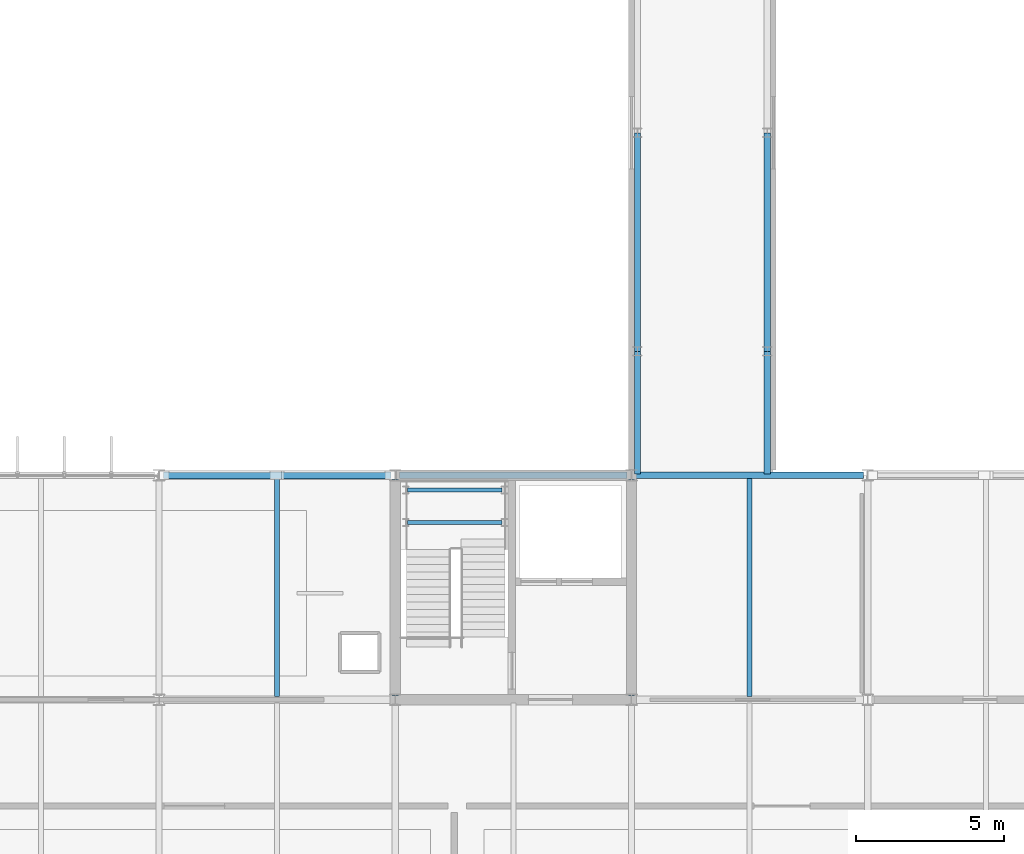
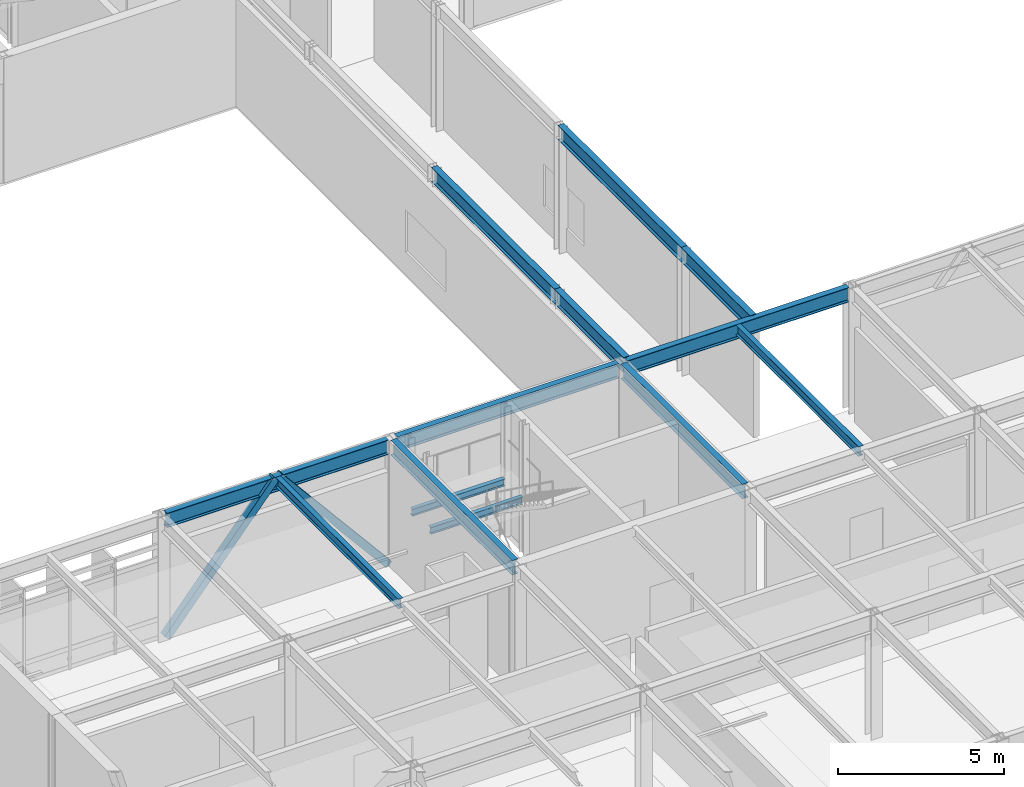
# One storey, part 26 of 104: 13 beams, 2 members.
"""IFC4 building model written with IfcOpenShell, lengths in metres."""

from ifc_helpers import new_model, si_unit, direction, frame, origin, origin_2d, place, context, subcontext, project, spatial, hollow_rectangle, i_section, extrude, material, material_profile, profile_set, type_object, element, save


model = new_model("IFC4")

# Units and contexts
model_context = context("Model", 3, precision=1e-05, world=origin(), true_north=direction((0.0, 1.0)))
body_context = subcontext(model_context, "Body", "Model", "MODEL_VIEW")
ifc_project = project(units=[si_unit("LENGTHUNIT", "METRE"), si_unit("AREAUNIT", "SQUARE_METRE"), si_unit("VOLUMEUNIT", "CUBIC_METRE"), si_unit("PLANEANGLEUNIT", "RADIAN"), si_unit("MASSUNIT", "GRAM", prefix="KILO")], contexts=[model_context])

# Site, building, storey
site_placement = place(None, origin())
site = spatial("IfcSite", under=ifc_project, at=site_placement, CompositionType="ELEMENT")
building_placement = place(site_placement, origin())
building = spatial("IfcBuilding", under=site, at=building_placement, Name="Zulena Civic Courthouse", CompositionType="ELEMENT")
storey_placement = place(building_placement, frame((0.0, 0.0, 15.60009765625)))
storey = spatial("IfcBuildingStorey", under=building, at=storey_placement, Name="L03", CompositionType="ELEMENT", Elevation=15.60009765625)

# Members
ifc_material_1 = material(Name="Steel ASTM A500 Grade C", Category="steel")
ifc_material_profile_1 = material_profile(ifc_material_1, hollow_rectangle(XDim=0.25390625, YDim=0.25390625, WallThickness=0.01171875, at=origin_2d()), Name="HSS10X10X1/2")
ifc_profile_set_1 = profile_set([ifc_material_profile_1], Name="Steel ASTM A500 Grade C")
member_type = type_object("IfcMemberType", Name="Brace_HSS10", PredefinedType="BRACE", material=ifc_profile_set_1)
for number, where, z_axis, x_axis, name in (
    (1, (12.14990234375, 22.800048828125, 0.010009765625), (0.641034700676, 0.0, 0.767511897321), (0.0, 1.0, 0.0), "brace:V2:L03:0:0"),
    (2, (19.85009765625, 22.800048828125, 0.010009765625), (-0.641034700676, 0.0, 0.767511897321), (0.0, -1.0, 0.0), "brace:V2:L03:0:1"),
):
    element("IfcMember", number, at=place(storey_placement, frame(where, z_axis=z_axis, x_axis=x_axis)), inside=storey, type_object=member_type, Name=name, PredefinedType="BRACE", context=body_context, shape_type="SweptSolid", body=[
        extrude(hollow_rectangle(XDim=0.25390625, YDim=0.25390625, WallThickness=0.01171875, at=origin_2d()), origin(), (0.0, 0.0, 1.0), 5.927978515625),
    ])

# Beams
ifc_material_2 = material(Name="Steel ASTM A992 Grade 50", Category="steel")
ifc_material_profile_2 = material_profile(ifc_material_2, i_section(OverallWidth=0.2099609375, OverallDepth=0.537109375, WebThickness=0.010986328125, FlangeThickness=0.017333984375, FilletRadius=0.0126953125, at=origin_2d()), Name="W21X68")
ifc_profile_set_2 = profile_set([ifc_material_profile_2], Name="Steel ASTM A992 Grade 50")
beam_type_1 = type_object("IfcBeamType", Name="BridgeGirder_W21X68", PredefinedType="BEAM", material=ifc_profile_set_2)
beam_1_placement = place(storey_placement, frame((28.199951171875, 22.85009765625, 4.361328125), z_axis=(0.0, 1.0, 0.0), x_axis=(-1.0, 0.0, 0.0)))
element("IfcBeam", 3, at=beam_1_placement, inside=storey, type_object=beam_type_1, Name="beam:bridgeroof:BR-52J:28.20:0", PredefinedType="BEAM", context=body_context, shape_type="SweptSolid", body=[
    extrude(i_section(OverallWidth=0.2099609375, OverallDepth=0.537109375, WebThickness=0.010986328125, FlangeThickness=0.017333984375, FilletRadius=0.0126953125, at=origin_2d()), origin(), (0.0, 0.0, 1.0), 4.14990234375),
])
beam_2_placement = place(storey_placement, frame((28.199951171875, 27.0, 4.361328125), z_axis=(0.0, 1.0, 0.0), x_axis=(-1.0, 0.0, 0.0)))
element("IfcBeam", 4, at=beam_2_placement, inside=storey, type_object=beam_type_1, Name="beam:bridgeroof:BR-52J:28.20:1", PredefinedType="BEAM", context=body_context, shape_type="SweptSolid", body=[
    extrude(i_section(OverallWidth=0.2099609375, OverallDepth=0.537109375, WebThickness=0.010986328125, FlangeThickness=0.017333984375, FilletRadius=0.0126953125, at=origin_2d()), origin(), (0.0, 0.0, 1.0), 7.39990234375),
])
beam_3_placement = place(storey_placement, frame((32.60009765625, 22.85009765625, 4.361328125), z_axis=(0.0, 1.0, 0.0), x_axis=(-1.0, 0.0, 0.0)))
element("IfcBeam", 5, at=beam_3_placement, inside=storey, type_object=beam_type_1, Name="beam:bridgeroof:BR-52J:32.60:0", PredefinedType="BEAM", context=body_context, shape_type="SweptSolid", body=[
    extrude(i_section(OverallWidth=0.2099609375, OverallDepth=0.537109375, WebThickness=0.010986328125, FlangeThickness=0.017333984375, FilletRadius=0.0126953125, at=origin_2d()), origin(), (0.0, 0.0, 1.0), 4.14990234375),
])
beam_4_placement = place(storey_placement, frame((32.60009765625, 27.0, 4.361328125), z_axis=(0.0, 1.0, 0.0), x_axis=(-1.0, 0.0, 0.0)))
element("IfcBeam", 6, at=beam_4_placement, inside=storey, type_object=beam_type_1, Name="beam:bridgeroof:BR-52J:32.60:1", PredefinedType="BEAM", context=body_context, shape_type="SweptSolid", body=[
    extrude(i_section(OverallWidth=0.2099609375, OverallDepth=0.537109375, WebThickness=0.010986328125, FlangeThickness=0.017333984375, FilletRadius=0.0126953125, at=origin_2d()), origin(), (0.0, 0.0, 1.0), 7.39990234375),
])
ifc_material_profile_3 = material_profile(ifc_material_2, i_section(OverallWidth=0.14599609375, OverallDepth=0.258056640625, WebThickness=0.006103515625, FlangeThickness=0.009033203125, FilletRadius=0.007568359375, at=origin_2d()), Name="W10X22")
ifc_profile_set_3 = profile_set([ifc_material_profile_3], Name="Steel ASTM A992 Grade 50")
beam_type_2 = type_object("IfcBeamType", Name="Joist_W10X22", PredefinedType="JOIST", material=ifc_profile_set_3)
for number, where, z_axis, x_axis, name in (
    (7, (20.419921875, 21.199951171875, 1.990966796875), (1.0, 0.0, 0.0), (0.0, 1.0, 0.0), "beam:lnd:K2A:L03:0"),
    (8, (20.419921875, 22.300048828125, 1.990966796875), (1.0, 0.0, 0.0), (0.0, 1.0, 0.0), "beam:lnd:K2A:L03:1"),
):
    element("IfcBeam", number, at=place(storey_placement, frame(where, z_axis=z_axis, x_axis=x_axis)), inside=storey, type_object=beam_type_2, Name=name, PredefinedType="JOIST", context=body_context, shape_type="SweptSolid", body=[
        extrude(i_section(OverallWidth=0.14599609375, OverallDepth=0.258056640625, WebThickness=0.006103515625, FlangeThickness=0.009033203125, FilletRadius=0.007568359375, at=origin_2d()), origin(), (0.0, 0.0, 1.0), 3.2001953125),
    ])
ifc_material_profile_4 = material_profile(ifc_material_2, i_section(OverallWidth=0.1708984375, OverallDepth=0.35205078125, WebThickness=0.0068359375, FlangeThickness=0.009765625, FilletRadius=0.01025390625, at=origin_2d()), Name="W14X30")
ifc_profile_set_4 = profile_set([ifc_material_profile_4], Name="Steel ASTM A992 Grade 50")
beam_type_3 = type_object("IfcBeamType", Name="Joist_W14X30", PredefinedType="JOIST", material=ifc_profile_set_4)
for number, where, z_axis, x_axis, name in (
    (9, (16.0, 15.304931640625, 4.413818359375), (0.0, 1.0, 0.0), (-1.0, 0.0, 0.0), "joist:V2:L03:16.00:15.2_22.8"),
    (10, (32.0, 15.304931640625, 4.413818359375), (0.0, 1.0, 0.0), (-1.0, 0.0, 0.0), "joist:V2:L03:32.00:15.2_22.8"),
):
    element("IfcBeam", number, at=place(storey_placement, frame(where, z_axis=z_axis, x_axis=x_axis)), inside=storey, type_object=beam_type_3, Name=name, PredefinedType="JOIST", context=body_context, shape_type="SweptSolid", body=[
        extrude(i_section(OverallWidth=0.1708984375, OverallDepth=0.35205078125, WebThickness=0.0068359375, FlangeThickness=0.009765625, FilletRadius=0.01025390625, at=origin_2d()), origin(), (0.0, 0.0, 1.0), 7.39013671875),
    ])
ifc_material_profile_5 = material_profile(ifc_material_2, i_section(OverallWidth=0.2099609375, OverallDepth=0.537109375, WebThickness=0.010986328125, FlangeThickness=0.017333984375, FilletRadius=0.0126953125, at=origin_2d()), Name="W21X68")
ifc_profile_set_5 = profile_set([ifc_material_profile_5], Name="Steel ASTM A992 Grade 50")
beam_type_4 = type_object("IfcBeamType", Name="Spandrel_W21X68", PredefinedType="SPANDREL", material=ifc_profile_set_5)
for number, where, z_axis, x_axis, name in (
    (11, (12.14501953125, 22.800048828125, 4.3212890625), (1.0, 0.0, 0.0), (0.0, 1.0, 0.0), "beam:X:V2:L03:22.8:12.0_20.0"),
    (12, (20.14501953125, 22.800048828125, 4.3212890625), (1.0, 0.0, 0.0), (0.0, 1.0, 0.0), "beam:X:V2:L03:22.8:20.0_28.0"),
    (13, (28.14501953125, 22.800048828125, 4.3212890625), (1.0, 0.0, 0.0), (0.0, 1.0, 0.0), "beam:X:V2:L03:22.8:28.0_36.0"),
):
    element("IfcBeam", number, at=place(storey_placement, frame(where, z_axis=z_axis, x_axis=x_axis)), inside=storey, type_object=beam_type_4, Name=name, PredefinedType="SPANDREL", context=body_context, shape_type="SweptSolid", body=[
        extrude(i_section(OverallWidth=0.2099609375, OverallDepth=0.537109375, WebThickness=0.010986328125, FlangeThickness=0.017333984375, FilletRadius=0.0126953125, at=origin_2d()), origin(), (0.0, 0.0, 1.0), 7.7099609375),
    ])
for number, where, z_axis, x_axis, name in (
    (14, (20.0, 15.344970703125, 4.3212890625), (0.0, 1.0, 0.0), (-1.0, 0.0, 0.0), "beam:Y:V2:L03:20.0:15.2_22.8"),
    (15, (28.0, 15.344970703125, 4.3212890625), (0.0, 1.0, 0.0), (-1.0, 0.0, 0.0), "beam:Y:V2:L03:28.0:15.2_22.8"),
):
    element("IfcBeam", number, at=place(storey_placement, frame(where, z_axis=z_axis, x_axis=x_axis)), inside=storey, type_object=beam_type_4, Name=name, PredefinedType="SPANDREL", context=body_context, shape_type="SweptSolid", body=[
        extrude(i_section(OverallWidth=0.2099609375, OverallDepth=0.537109375, WebThickness=0.010986328125, FlangeThickness=0.017333984375, FilletRadius=0.0126953125, at=origin_2d()), origin(), (0.0, 0.0, 1.0), 7.31005859375),
    ])

save(model, "model.ifc")
